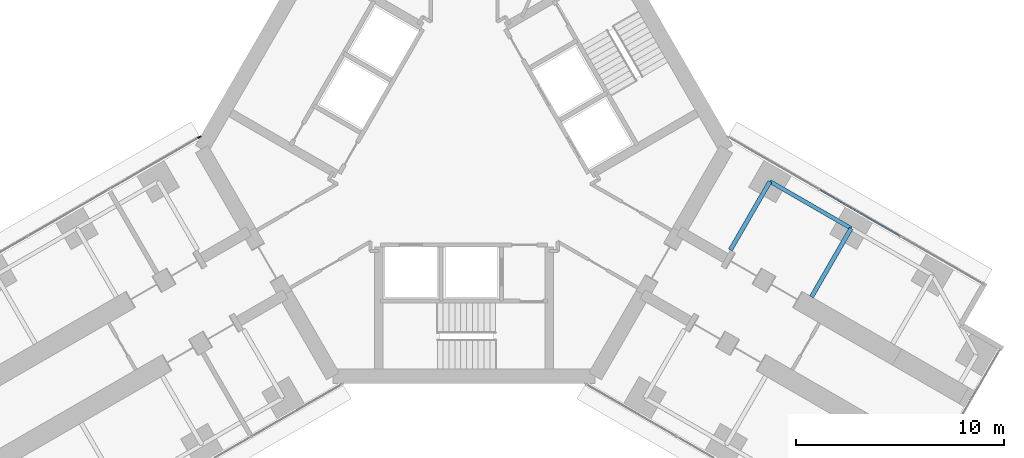
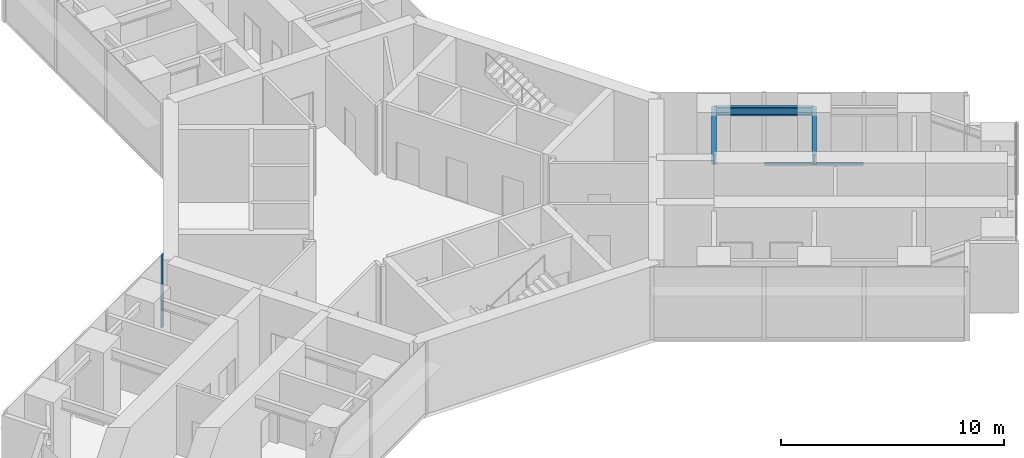
# One storey, part 10 of 23: 3 beams, 2 members, 2 elements without a shape of their own.
"""IFC4 building model written with IfcOpenShell, lengths in metres."""

import ifcopenshell
import ifcopenshell.guid

model = None  # the IFC model being written
_history = None  # IfcOwnerHistory: only IFC2X3 demands one
_inside = {}  # id of a spatial element -> (the spatial element, [elements in it])
_under = {}  # id of a project, library or spatial element -> (it, [spatial elements below it])
_declared = {}  # id of a project -> (the project, [libraries it declares])
_typed = {}  # id of a type object -> (the type object, [elements of that type])
_made_of = {}  # id of a material, layer set ... -> (it, [elements and type objects made of it])


def new_model(schema):
    """Start an empty IFC model of exactly this schema.

    Asked for "IFC4X3", IfcOpenShell would pick the latest addendum, in which some entities
    have other attributes; the version numbers below select the first issue.
    IFC2X3 requires an IfcOwnerHistory on every rooted entity: one is made here for all.
    """
    global model, _history
    if schema == "IFC4X3":
        model = ifcopenshell.file(schema_version=(4, 3, 0, 0))
    else:
        model = ifcopenshell.file(schema=schema)
    _inside.clear()
    _under.clear()
    _declared.clear()
    _typed.clear()
    _made_of.clear()
    _history = None
    if model.schema == "IFC2X3":
        org = make("IfcOrganization", Name="unknown")
        user = make(
            "IfcPersonAndOrganization",
            ThePerson=make("IfcPerson", FamilyName="unknown"),
            TheOrganization=org,
        )
        app = make(
            "IfcApplication",
            ApplicationDeveloper=org,
            Version="unknown",
            ApplicationFullName="unknown",
            ApplicationIdentifier="unknown",
        )
        _history = make(
            "IfcOwnerHistory",
            OwningUser=user,
            OwningApplication=app,
            ChangeAction="ADDED",
            CreationDate=0,
        )
    return model


def make(cls, **values):
    """One entity of the class cls with the attributes given. An attribute that is None is left unset."""
    return model.create_entity(
        cls, **{name: value for name, value in values.items() if value is not None}
    )


def rooted(cls, **values):
    """An entity with a GlobalId (a new one), such as an element, a storey or a relation."""
    return make(cls, GlobalId=ifcopenshell.guid.new(), OwnerHistory=_history, **values)


def si_unit(unit_type, name, prefix=None):
    """IfcSIUnit, for example si_unit("LENGTHUNIT", "METRE", prefix="MILLI")."""
    return make("IfcSIUnit", UnitType=unit_type, Prefix=prefix, Name=name)


def assignment(units):
    """IfcUnitAssignment: the units of a project."""
    return None if units is None else make("IfcUnitAssignment", Units=units)


def point(xyz):
    """IfcCartesianPoint."""
    return None if xyz is None else make("IfcCartesianPoint", Coordinates=xyz)


def direction(xyz):
    """IfcDirection."""
    return None if xyz is None else make("IfcDirection", DirectionRatios=xyz)


def frame(location, z_axis=None, x_axis=None):
    """IfcAxis2Placement3D, a coordinate frame: its origin and axes. An axis left out is left unset."""
    return make(
        "IfcAxis2Placement3D",
        Location=point(location),
        Axis=direction(z_axis),
        RefDirection=direction(x_axis),
    )


def frame_2d(location, x_axis=None):
    """IfcAxis2Placement2D, a coordinate frame in the plane: its origin and x axis."""
    return make(
        "IfcAxis2Placement2D", Location=point(location), RefDirection=direction(x_axis)
    )


def origin():
    """The frame at (0, 0, 0) with its axes left unset."""
    return frame((0.0, 0.0, 0.0))


def origin_2d():
    """The frame at (0, 0) in the plane with its x axis left unset."""
    return frame_2d((0.0, 0.0))


def place(relative_to, where):
    """IfcLocalPlacement: puts the frame where relative to a parent placement (None: the world)."""
    return make(
        "IfcLocalPlacement", PlacementRelTo=relative_to, RelativePlacement=where
    )


def context(
    kind, dimensions, precision=None, world=None, true_north=None, identifier=None
):
    """IfcGeometricRepresentationContext, for example the 3D "Model" context."""
    return make(
        "IfcGeometricRepresentationContext",
        ContextIdentifier=identifier,
        ContextType=kind,
        CoordinateSpaceDimension=dimensions,
        Precision=precision,
        WorldCoordinateSystem=world,
        TrueNorth=true_north,
    )


def subcontext(parent, identifier, kind, view, scale=None):
    """IfcGeometricRepresentationSubContext, for example "Body" below "Model"."""
    return make(
        "IfcGeometricRepresentationSubContext",
        ContextIdentifier=identifier,
        ContextType=kind,
        ParentContext=parent,
        TargetScale=scale,
        TargetView=view,
    )


def project(units=None, contexts=None):
    """IfcProject with its units and contexts."""
    return rooted(
        "IfcProject",
        Name="project",
        RepresentationContexts=contexts,
        UnitsInContext=assignment(units),
    )


def spatial(cls, under=None, at=None, **own):
    """A site, building, storey or space (cls), placed at a placement, below another one or the project."""
    s = rooted(cls, ObjectPlacement=at, **own)
    if under is not None:
        _under.setdefault(under.id(), (under, []))[1].append(s)
    return s


def profile(cls, at=None, kind="AREA", **sizes):
    """A parametric profile (cls). Its sizes go by their IFC names, for example OverallWidth=200.0."""
    return make(cls, ProfileType=kind, Position=at, **sizes)


def rectangle(**sizes):
    """IfcRectangleProfileDef."""
    return profile("IfcRectangleProfileDef", **sizes)


def i_section(**sizes):
    """IfcIShapeProfileDef."""
    return profile("IfcIShapeProfileDef", **sizes)


def extrude(swept, where, along, depth):
    """IfcExtrudedAreaSolid: the profile swept, set in the frame where, extruded along a direction by depth."""
    return make(
        "IfcExtrudedAreaSolid",
        SweptArea=swept,
        Position=where,
        ExtrudedDirection=direction(along),
        Depth=depth,
    )


def shape(context_of_items, identifier, shape_type, items):
    """IfcShapeRepresentation: the items that make up one representation, for example the "Body"."""
    return make(
        "IfcShapeRepresentation",
        ContextOfItems=context_of_items,
        RepresentationIdentifier=identifier,
        RepresentationType=shape_type,
        Items=items,
    )


def material(Name=None, Category=None):
    """IfcMaterial."""
    return make("IfcMaterial", Name=Name, Category=Category)


def material_profile(
    of_material, cross_section, Name=None, Category=None, Priority=None
):
    """IfcMaterialProfile: a cross section and its material."""
    return make(
        "IfcMaterialProfile",
        Name=Name,
        Material=of_material,
        Profile=cross_section,
        Priority=Priority,
        Category=Category,
    )


def profile_set(profiles, Name=None, composite=None):
    """IfcMaterialProfileSet."""
    return make(
        "IfcMaterialProfileSet",
        Name=Name,
        MaterialProfiles=profiles,
        CompositeProfile=composite,
    )


def made_of(thing, what):
    """Note that an element or type object is made of a material, layer set ...; save() writes the relation."""
    if what is not None:
        _made_of.setdefault(what.id(), (what, []))[1].append(thing)
    return thing


def type_object(cls, material=None, **own):
    """A type object (cls), such as IfcWallType, which elements share."""
    return made_of(rooted(cls, **own), material)


def element(
    cls,
    number,
    at=None,
    inside=None,
    cuts=None,
    type_object=None,
    material=None,
    context=None,
    identifier="Body",
    shape_type=None,
    held_by="IfcProductDefinitionShape",
    body=None,
    shapes=None,
    **own,
):
    """One element of the class cls, such as IfcWall. Its Tag is "e" and its number.

    at: its placement. inside: the storey or other place that contains it. cuts: it is an
    opening in that element (IfcRelVoidsElement). A single representation is given by context,
    identifier, shape_type and body (its items); several are given by shapes. held_by: the class
    of the entity that holds the representations. save() writes the other relations.
    """
    e = rooted(cls, Tag="e%d" % number, ObjectPlacement=at, **own)
    if body is not None:
        shapes = [shape(context, identifier, shape_type, body)]
    if shapes is not None:
        e.Representation = make(held_by, Representations=shapes)
    if inside is not None:
        _inside.setdefault(inside.id(), (inside, []))[1].append(e)
    if cuts is not None:
        rooted(
            "IfcRelVoidsElement", RelatingBuildingElement=cuts, RelatedOpeningElement=e
        )
    if type_object is not None:
        _typed.setdefault(type_object.id(), (type_object, []))[1].append(e)
    return made_of(e, material)


def aggregate(whole, parts):
    """IfcRelAggregates: a whole, such as a stair, and the parts it consists of."""
    return rooted("IfcRelAggregates", RelatingObject=whole, RelatedObjects=parts)


def save(model, path):
    """Write the relations noted so far, then the file.

    IfcRelAggregates (storeys below a building ...), IfcRelContainedInSpatialStructure (elements
    in a storey), IfcRelDefinesByType, IfcRelAssociatesMaterial and IfcRelDeclares: one each for
    every whole, place, type object, material and project.
    """
    for whole, parts in _under.values():
        aggregate(whole, parts)
    for where, things in _inside.values():
        rooted(
            "IfcRelContainedInSpatialStructure",
            RelatedElements=things,
            RelatingStructure=where,
        )
    for kind, things in _typed.values():
        rooted("IfcRelDefinesByType", RelatedObjects=things, RelatingType=kind)
    for what, things in _made_of.values():
        rooted("IfcRelAssociatesMaterial", RelatedObjects=things, RelatingMaterial=what)
    for by, libraries in _declared.values():
        rooted("IfcRelDeclares", RelatingContext=by, RelatedDefinitions=libraries)
    model.write(path)


model = new_model("IFC4")

# Units and contexts
model_context = context("Model", 3, precision=1e-05, world=origin(), true_north=direction((0.0, 1.0)))
body_context = subcontext(model_context, "Body", "Model", "MODEL_VIEW")
ifc_project = project(units=[si_unit("LENGTHUNIT", "METRE"), si_unit("AREAUNIT", "SQUARE_METRE"), si_unit("VOLUMEUNIT", "CUBIC_METRE"), si_unit("PLANEANGLEUNIT", "RADIAN"), si_unit("MASSUNIT", "GRAM", prefix="KILO")], contexts=[model_context])

# Site, building, storey
site_placement = place(None, origin())
site = spatial("IfcSite", under=ifc_project, at=site_placement, CompositionType="ELEMENT")
building_placement = place(site_placement, origin())
building = spatial("IfcBuilding", under=site, at=building_placement, Name="Upepo Twin Towers", CompositionType="ELEMENT")
storey_placement = place(building_placement, frame((0.0, 0.0, 32.5)))
storey = spatial("IfcBuildingStorey", under=building, at=storey_placement, Name="L07", CompositionType="ELEMENT", Elevation=32.5)

# Beams
ifc_material_1 = material(Name="Steel S355", Category="steel")
ifc_material_profile_1 = material_profile(ifc_material_1, i_section(OverallWidth=0.1904296875, OverallDepth=0.45703125, WebThickness=0.009033203125, FlangeThickness=0.014404296875, FilletRadius=0.01025390625, at=origin_2d()), Name="UB 457x191x74")
ifc_profile_set_1 = profile_set([ifc_material_profile_1], Name="Steel S355")
beam_type_1 = type_object("IfcBeamType", Name="Beam UB 457x191x74", PredefinedType="BEAM", material=ifc_profile_set_1)
beam_1_placement = place(storey_placement, frame((73.19140625, -19.553955078125, 3.571533203125), z_axis=(0.866017533419, -0.500013631625, 0.0), x_axis=(0.500013631625, 0.866017533419, 0.0)))
element("IfcBeam", 1, at=beam_1_placement, inside=storey, type_object=beam_type_1, Name="T2 edge beam CL 13.5-18.0", PredefinedType="BEAM", context=body_context, shape_type="SweptSolid", body=[
    extrude(i_section(OverallWidth=0.1904296875, OverallDepth=0.45703125, WebThickness=0.009033203125, FlangeThickness=0.014404296875, FilletRadius=0.01025390625, at=origin_2d()), origin(), (0.0, 0.0, 1.0), 4.499755859375),
])
ifc_material_2 = material(Name="Steel S355", Category="steel")
ifc_material_profile_2 = material_profile(ifc_material_2, i_section(OverallWidth=0.209228515625, OverallDepth=0.533203125, WebThickness=0.010009765625, FlangeThickness=0.015625, FilletRadius=0.0126953125, at=origin_2d()), Name="UB 533x210x92")
ifc_profile_set_2 = profile_set([ifc_material_profile_2], Name="Steel S355")
beam_type_2 = type_object("IfcBeamType", Name="Beam UB 533x210x92", PredefinedType="BEAM", material=ifc_profile_set_2)
beam_2_placement = place(storey_placement, frame((73.19140625, -19.553955078125, 3.533447265625), z_axis=(-0.500043160704, -0.866000483506, 0.0), x_axis=(0.866000483506, -0.500043160704, 0.0)))
element("IfcBeam", 2, at=beam_2_placement, inside=storey, type_object=beam_type_2, Name="T2 girder CL at 13.5", PredefinedType="BEAM", context=body_context, shape_type="SweptSolid", body=[
    extrude(i_section(OverallWidth=0.209228515625, OverallDepth=0.533203125, WebThickness=0.010009765625, FlangeThickness=0.015625, FilletRadius=0.0126953125, at=origin_2d()), origin(), (0.0, 0.0, 1.0), 3.800048828125),
])
beam_3_placement = place(storey_placement, frame((77.08837890625, -21.803955078125, 3.533447265625), z_axis=(-0.499994975061, -0.866028304915, 0.0), x_axis=(0.866028304915, -0.499994975061, 0.0)))
element("IfcBeam", 3, at=beam_3_placement, inside=storey, type_object=beam_type_2, Name="T2 girder CL at 18.0", PredefinedType="BEAM", context=body_context, shape_type="SweptSolid", body=[
    extrude(i_section(OverallWidth=0.209228515625, OverallDepth=0.533203125, WebThickness=0.010009765625, FlangeThickness=0.015625, FilletRadius=0.0126953125, at=origin_2d()), origin(), (0.0, 0.0, 1.0), 3.7998046875),
])

# Curtain wall, member
ifc_material_3 = material(Name="Aluminium and fritted glass", Category="aluminium")
curtain_wall_type = type_object("IfcCurtainWallType", Name="Tower curtain wall TW1, fritted glass", PredefinedType="NOTDEFINED", material=ifc_material_3)
curtain_wall_1_placement = place(storey_placement, origin())
curtain_wall_1 = element("IfcCurtainWall", 4, at=curtain_wall_1_placement, inside=storey, type_object=curtain_wall_type, Name="T2 L07 wing B flank R curtain wall", PredefinedType="NOTDEFINED")
ifc_material_4 = material(Name="Aluminium mullion", Category="aluminium")
ifc_material_profile_3 = material_profile(ifc_material_4, rectangle(XDim=0.06494140625, YDim=0.179931640625, at=origin_2d()), Name="MULLION 65x180")
ifc_profile_set_3 = profile_set([ifc_material_profile_3], Name="Aluminium mullion")
member_type_1 = type_object("IfcMemberType", Name="Mullion 65x180 TW1", PredefinedType="MULLION", material=ifc_profile_set_3)
member_1_placement = place(storey_placement, frame((45.79150390625, -17.427490234375, 0.0), z_axis=(0.0, 0.0, 1.0), x_axis=(-0.500000024426, 0.866025389682, 0.0)))
member_1 = element("IfcMember", 5, at=member_1_placement, type_object=member_type_1, Name="T2 L07 wing B flank R curtain wall mullion 4", PredefinedType="MULLION", context=body_context, shape_type="SweptSolid", body=[
    extrude(rectangle(XDim=0.06494140625, YDim=0.179931640625, at=origin_2d()), origin(), (0.0, 0.0, 1.0), 4.0),
])
aggregate(curtain_wall_1, [member_1])

curtain_wall_2_placement = place(storey_placement, origin())
curtain_wall_2 = element("IfcCurtainWall", 6, at=curtain_wall_2_placement, inside=storey, type_object=curtain_wall_type, Name="T2 L07 wing C flank L curtain wall", PredefinedType="NOTDEFINED")
ifc_material_5 = material(Name="Aluminium transom", Category="aluminium")
ifc_material_profile_4 = material_profile(ifc_material_5, rectangle(XDim=0.06494140625, YDim=0.14990234375, at=origin_2d()), Name="TRANSOM 65x150")
ifc_profile_set_4 = profile_set([ifc_material_profile_4], Name="Aluminium transom")
member_type_2 = type_object("IfcMemberType", Name="Transom 65x150 TW1", PredefinedType="USERDEFINED", material=ifc_profile_set_4)
member_2_placement = place(storey_placement, frame((75.593017578125, -19.958984375, 0.074951171875), z_axis=(0.866022410713, -0.500005184116, 0.0), x_axis=(0.500005184116, 0.866022410713, 0.0)))
member_2 = element("IfcMember", 7, at=member_2_placement, type_object=member_type_2, Name="T2 L07 wing C flank L curtain wall transom 2", ObjectType="TRANSOM", PredefinedType="USERDEFINED", context=body_context, shape_type="SweptSolid", body=[
    extrude(rectangle(XDim=0.06494140625, YDim=0.14990234375, at=origin_2d()), origin(), (0.0, 0.0, 1.0), 4.43505859375),
])
aggregate(curtain_wall_2, [member_2])

save(model, "model.ifc")
